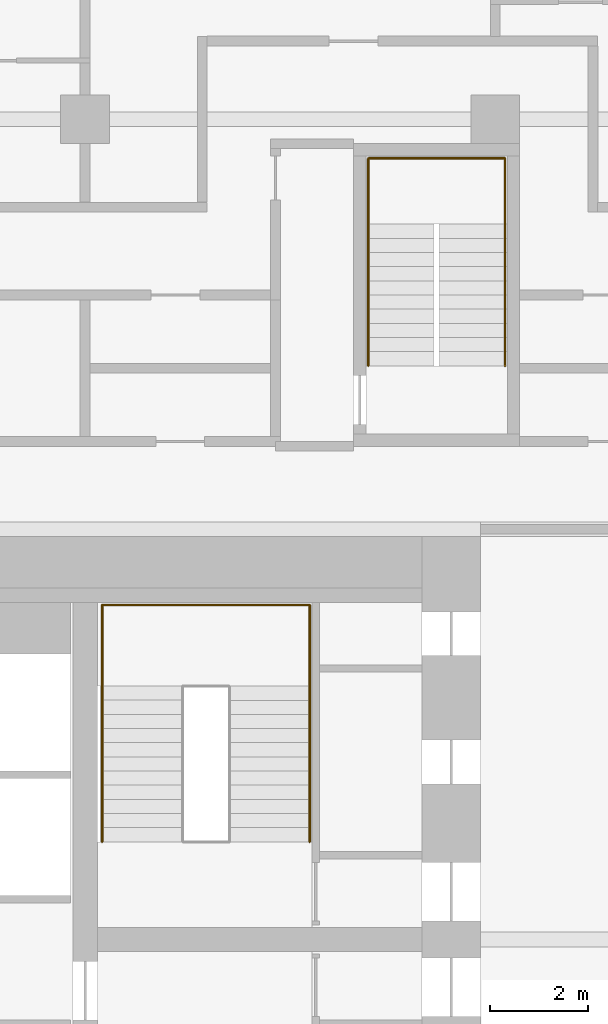
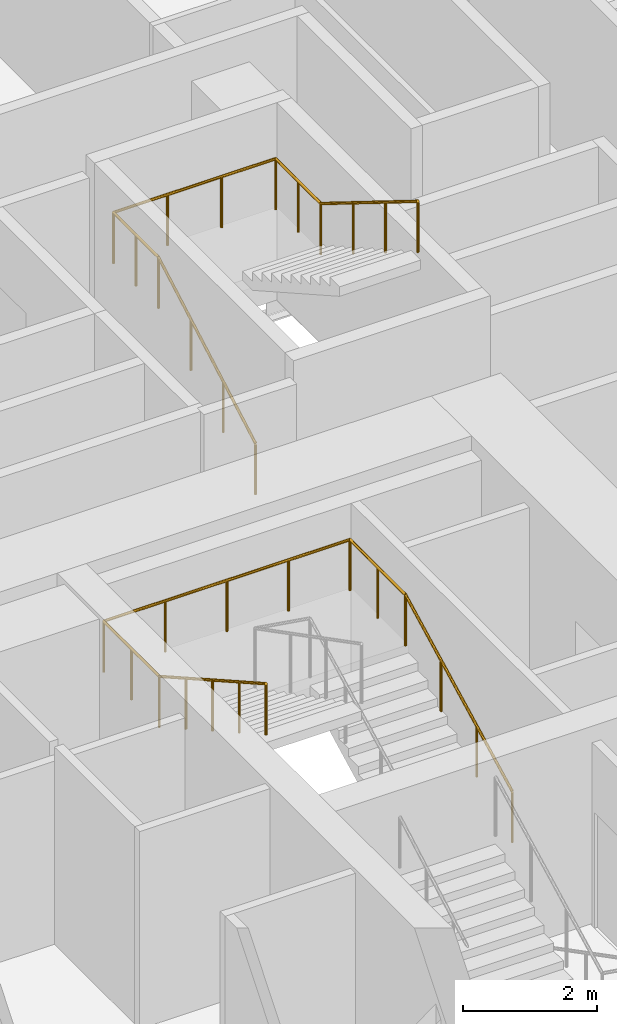
# One storey, part 26 of 26: 2 railings.
"""IFC4 building model written with IfcOpenShell, lengths in metres."""

from ifc_helpers import new_model, si_unit, direction, frame, origin, origin_2d, place, context, subcontext, project, spatial, circle, extrude, material, type_object, element, save


model = new_model("IFC4")

# Units and contexts
model_context = context("Model", 3, precision=1e-05, world=origin(), true_north=direction((0.0, 1.0)))
body_context = subcontext(model_context, "Body", "Model", "MODEL_VIEW")
ifc_project = project(units=[si_unit("LENGTHUNIT", "METRE"), si_unit("AREAUNIT", "SQUARE_METRE"), si_unit("VOLUMEUNIT", "CUBIC_METRE"), si_unit("PLANEANGLEUNIT", "RADIAN"), si_unit("MASSUNIT", "GRAM", prefix="KILO")], contexts=[model_context])

# Site, building, storey
site_placement = place(None, origin())
site = spatial("IfcSite", under=ifc_project, at=site_placement, CompositionType="ELEMENT")
building_placement = place(site_placement, origin())
building = spatial("IfcBuilding", under=site, at=building_placement, Name="Marenta Gate Hotel Tower", CompositionType="ELEMENT")
storey_placement = place(building_placement, frame((0.0, 0.0, 72.5)))
storey = spatial("IfcBuildingStorey", under=building, at=storey_placement, Name="L16", CompositionType="ELEMENT", Elevation=72.5)

# Railings
ifc_material = material(Name="Stainless steel", Category="steel")
railing_type = type_object("IfcRailingType", Name="Core stair handrail 950", PredefinedType="HANDRAIL", material=ifc_material)
railing_1_placement = place(storey_placement, frame((8.800048828125, 10.39990234375, 0.14990234375)))
element("IfcRailing", 1, at=railing_1_placement, inside=storey, type_object=railing_type, Name="HR-950 L16-KR-ST4-1", PredefinedType="HANDRAIL", context=body_context, shape_type="SweptSolid", body=[
    extrude(circle(Radius=0.02392578125, at=origin_2d()), frame((0.0, 0.0, 0.92578125), z_axis=(0.0, 0.888211904222, 0.459434013977), x_axis=(-1.0, 0.0, 0.0)), (0.0, 0.0, 1.0), 3.591796875),
    extrude(circle(Radius=0.02392578125, at=origin_2d()), frame((0.0, 3.190185546875, 2.576171875), z_axis=(0.0, 1.0, 0.0), x_axis=(-1.0, 0.0, 0.0)), (0.0, 0.0, 1.0), 1.659912109375),
    extrude(circle(Radius=0.02392578125, at=origin_2d()), frame((0.0, 4.85009765625, 2.576171875), z_axis=(-1.0, 0.0, 0.0), x_axis=(0.0, -1.0, 0.0)), (0.0, 0.0, 1.0), 4.25),
    extrude(circle(Radius=0.02392578125, at=origin_2d()), frame((-4.25, 4.85009765625, 2.576171875), z_axis=(0.0, -1.0, 0.0), x_axis=(1.0, 0.0, 0.0)), (0.0, 0.0, 1.0), 1.659912109375),
    extrude(circle(Radius=0.02392578125, at=origin_2d()), frame((-4.25, 3.190185546875, 2.576171875), z_axis=(0.0, -0.870925075533, 0.491415824742), x_axis=(1.0, 0.0, 0.0)), (0.0, 0.0, 1.0), 3.6630859375),
    extrude(circle(Radius=0.02099609375, at=origin_2d()), origin(), (0.0, 0.0, 1.0), 0.90185546875),
    extrude(circle(Radius=0.02099609375, at=origin_2d()), frame((0.0, 1.0634765625, 0.550048828125)), (0.0, 0.0, 1.0), 0.90185546875),
    extrude(circle(Radius=0.02099609375, at=origin_2d()), frame((0.0, 2.126708984375, 1.10009765625)), (0.0, 0.0, 1.0), 0.90185546875),
    extrude(circle(Radius=0.02099609375, at=origin_2d()), frame((0.0, 3.190185546875, 1.650146484375)), (0.0, 0.0, 1.0), 0.90185546875),
    extrude(circle(Radius=0.02099609375, at=origin_2d()), frame((0.0, 4.02001953125, 1.650146484375)), (0.0, 0.0, 1.0), 0.90185546875),
    extrude(circle(Radius=0.02099609375, at=origin_2d()), frame((0.0, 4.85009765625, 1.650146484375)), (0.0, 0.0, 1.0), 0.90185546875),
    extrude(circle(Radius=0.02099609375, at=origin_2d()), frame((-1.0625, 4.85009765625, 1.650146484375)), (0.0, 0.0, 1.0), 0.90185546875),
    extrude(circle(Radius=0.02099609375, at=origin_2d()), frame((-2.125, 4.85009765625, 1.650146484375)), (0.0, 0.0, 1.0), 0.90185546875),
    extrude(circle(Radius=0.02099609375, at=origin_2d()), frame((-3.1875, 4.85009765625, 1.650146484375)), (0.0, 0.0, 1.0), 0.90185546875),
    extrude(circle(Radius=0.02099609375, at=origin_2d()), frame((-4.25, 4.85009765625, 1.650146484375)), (0.0, 0.0, 1.0), 0.90185546875),
    extrude(circle(Radius=0.02099609375, at=origin_2d()), frame((-4.25, 4.02001953125, 1.650146484375)), (0.0, 0.0, 1.0), 0.90185546875),
    extrude(circle(Radius=0.02099609375, at=origin_2d()), frame((-4.25, 3.190185546875, 1.650146484375)), (0.0, 0.0, 1.0), 0.90185546875),
    extrude(circle(Radius=0.02099609375, at=origin_2d()), frame((-4.25, 2.392578125, 2.10009765625)), (0.0, 0.0, 1.0), 0.90185546875),
    extrude(circle(Radius=0.02099609375, at=origin_2d()), frame((-4.25, 1.59521484375, 2.55029296875)), (0.0, 0.0, 1.0), 0.90185546875),
    extrude(circle(Radius=0.02099609375, at=origin_2d()), frame((-4.25, 0.797607421875, 3.000244140625)), (0.0, 0.0, 1.0), 0.90185546875),
    extrude(circle(Radius=0.02099609375, at=origin_2d()), frame((-4.25, 0.0, 3.4501953125)), (0.0, 0.0, 1.0), 0.90185546875),
])
railing_2_placement = place(storey_placement, frame((10.0, 20.14990234375, 0.16357421875)))
element("IfcRailing", 2, at=railing_2_placement, inside=storey, type_object=railing_type, Name="HR-950 L16-RS-Z1-4-KR-1", PredefinedType="HANDRAIL", context=body_context, shape_type="SweptSolid", body=[
    extrude(circle(Radius=0.02392578125, at=origin_2d()), frame((0.0, 0.0, 0.92578125), z_axis=(0.0, 0.870914908162, 0.491433843708), x_axis=(-1.0, 0.0, 0.0)), (0.0, 0.0, 1.0), 3.330078125),
    extrude(circle(Radius=0.02392578125, at=origin_2d()), frame((0.0, 2.900146484375, 2.5625), z_axis=(0.0, 1.0, 0.0), x_axis=(-1.0, 0.0, 0.0)), (0.0, 0.0, 1.0), 1.349853515625),
    extrude(circle(Radius=0.02392578125, at=origin_2d()), frame((0.0, 4.25, 2.5625), z_axis=(1.0, 0.0, 0.0), x_axis=(0.0, 1.0, 0.0)), (0.0, 0.0, 1.0), 2.800048828125),
    extrude(circle(Radius=0.02392578125, at=origin_2d()), frame((2.800048828125, 4.25, 2.5625), z_axis=(0.0, -1.0, 0.0), x_axis=(1.0, 0.0, 0.0)), (0.0, 0.0, 1.0), 1.349853515625),
    extrude(circle(Radius=0.02392578125, at=origin_2d()), frame((2.800048828125, 2.900146484375, 2.5625), z_axis=(0.0, -0.849645691689, 0.527353959494), x_axis=(1.0, 0.0, 0.0)), (0.0, 0.0, 1.0), 3.413330078125),
    extrude(circle(Radius=0.02099609375, at=origin_2d()), origin(), (0.0, 0.0, 1.0), 0.90185546875),
    extrude(circle(Radius=0.02099609375, at=origin_2d()), frame((0.0, 0.966796875, 0.54541015625)), (0.0, 0.0, 1.0), 0.90185546875),
    extrude(circle(Radius=0.02099609375, at=origin_2d()), frame((0.0, 1.933349609375, 1.091064453125)), (0.0, 0.0, 1.0), 0.90185546875),
    extrude(circle(Radius=0.02099609375, at=origin_2d()), frame((0.0, 2.900146484375, 1.636474609375)), (0.0, 0.0, 1.0), 0.90185546875),
    extrude(circle(Radius=0.02099609375, at=origin_2d()), frame((0.0, 3.5751953125, 1.636474609375)), (0.0, 0.0, 1.0), 0.90185546875),
    extrude(circle(Radius=0.02099609375, at=origin_2d()), frame((0.0, 4.25, 1.636474609375)), (0.0, 0.0, 1.0), 0.90185546875),
    extrude(circle(Radius=0.02099609375, at=origin_2d()), frame((0.933349609375, 4.25, 1.636474609375)), (0.0, 0.0, 1.0), 0.90185546875),
    extrude(circle(Radius=0.02099609375, at=origin_2d()), frame((1.86669921875, 4.25, 1.636474609375)), (0.0, 0.0, 1.0), 0.90185546875),
    extrude(circle(Radius=0.02099609375, at=origin_2d()), frame((2.800048828125, 4.25, 1.636474609375)), (0.0, 0.0, 1.0), 0.90185546875),
    extrude(circle(Radius=0.02099609375, at=origin_2d()), frame((2.800048828125, 3.5751953125, 1.636474609375)), (0.0, 0.0, 1.0), 0.90185546875),
    extrude(circle(Radius=0.02099609375, at=origin_2d()), frame((2.800048828125, 2.900146484375, 1.636474609375)), (0.0, 0.0, 1.0), 0.90185546875),
    extrude(circle(Radius=0.02099609375, at=origin_2d()), frame((2.800048828125, 1.933349609375, 2.236572265625)), (0.0, 0.0, 1.0), 0.90185546875),
    extrude(circle(Radius=0.02099609375, at=origin_2d()), frame((2.800048828125, 0.966796875, 2.83642578125)), (0.0, 0.0, 1.0), 0.90185546875),
    extrude(circle(Radius=0.02099609375, at=origin_2d()), frame((2.800048828125, 0.0, 3.4365234375)), (0.0, 0.0, 1.0), 0.90185546875),
])

save(model, "model.ifc")
